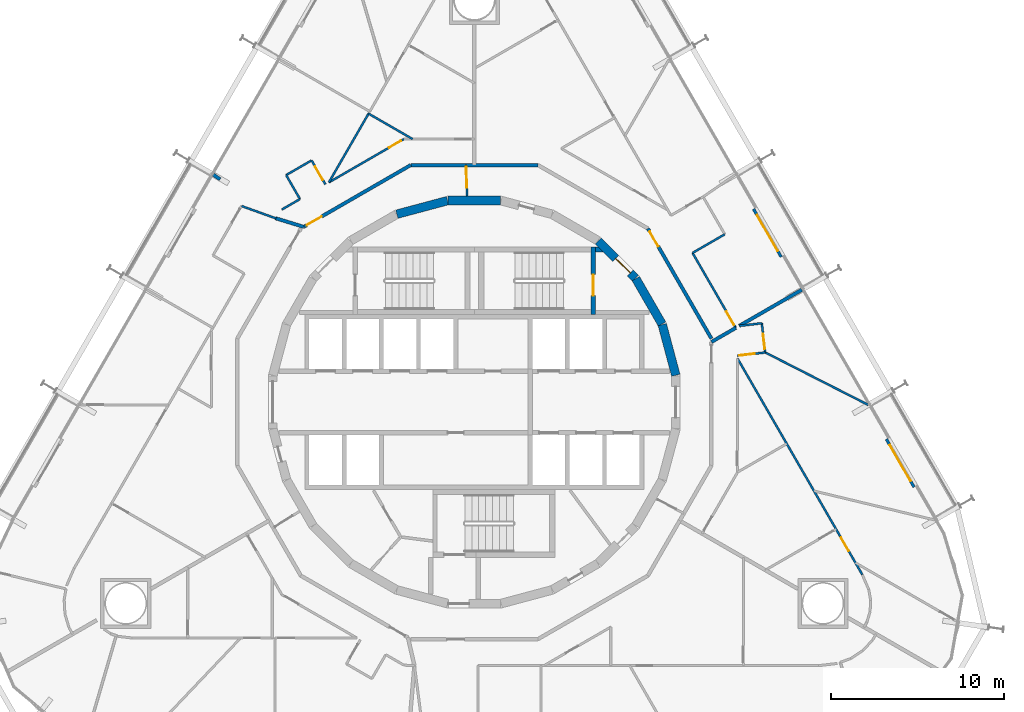
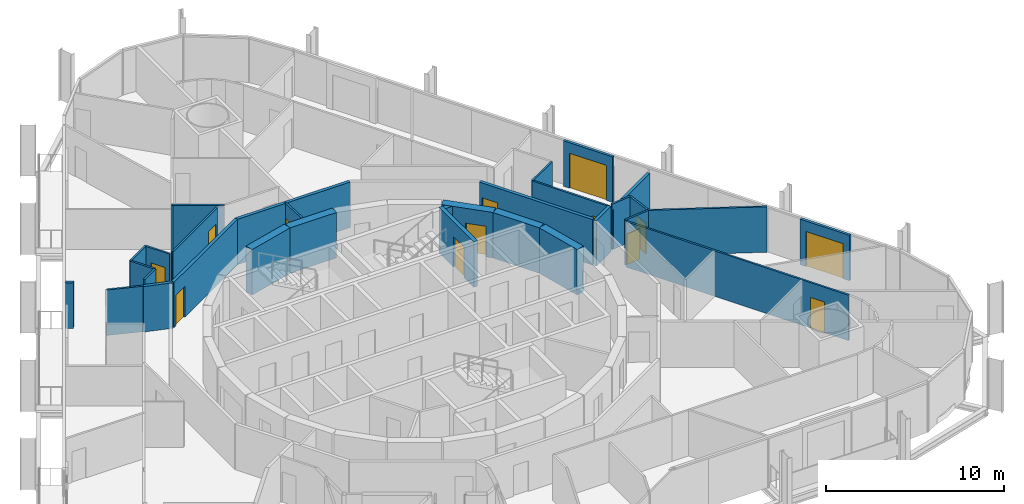
# One storey, part 17 of 21: 32 walls, 13 doors, 13 openings.
"""IFC4 building model written with IfcOpenShell, lengths in metres."""

from ifc_helpers import new_model, si_unit, direction, frame, frame_2d, origin, place, context, subcontext, project, spatial, polyline, rectangle, outline, extrude, material, layer, layer_set, type_object, element, fill, save


model = new_model("IFC4")

# Units and contexts
model_context = context("Model", 3, precision=1e-05, world=origin(), true_north=direction((0.0, 1.0)))
body_context = subcontext(model_context, "Body", "Model", "MODEL_VIEW")
ifc_project = project(units=[si_unit("LENGTHUNIT", "METRE"), si_unit("AREAUNIT", "SQUARE_METRE"), si_unit("VOLUMEUNIT", "CUBIC_METRE"), si_unit("PLANEANGLEUNIT", "RADIAN"), si_unit("MASSUNIT", "GRAM", prefix="KILO")], contexts=[model_context])

# Site, building, storey
site_placement = place(None, origin())
site = spatial("IfcSite", under=ifc_project, at=site_placement, CompositionType="ELEMENT")
building_placement = place(site_placement, origin())
building = spatial("IfcBuilding", under=site, at=building_placement, Name="Spindle Arch Residences", CompositionType="ELEMENT")
storey_placement = place(building_placement, frame((0.0, 0.0, 62.89990234375)))
storey = spatial("IfcBuildingStorey", under=building, at=storey_placement, Name="L14", CompositionType="ELEMENT", Elevation=62.89990234375)

# Walls
ifc_material_1 = material(Name="Concrete C50/60", Category="concrete")
ifc_layer_1 = layer(ifc_material_1, 0.5)
ifc_layer_set_1 = layer_set([ifc_layer_1], Name="Core outline wall 500")
wall_type_1 = type_object("IfcWallType", Name="Core outline wall 500", PredefinedType="SHEAR", material=ifc_layer_set_1)
for number, where, z_axis, x_axis, name in (
    (1, (11.642822265625, 1.5498046875, 0.0), (0.0, 0.0, 1.0), (-0.258734743916, 0.965948410781, 0.0), "Core outline wall 7"),
    (2, (10.84521484375, 4.510498046875, 0.0), (0.0, 0.0, 1.0), (-0.500087131594, 0.865975092491, 0.0), "Core outline wall 8"),
):
    element("IfcWall", number, at=place(storey_placement, frame(where, z_axis=z_axis, x_axis=x_axis)), inside=storey, type_object=wall_type_1, Name=name, PredefinedType="SHEAR", context=body_context, shape_type="SweptSolid", body=[
        extrude(rectangle(XDim=3.03271484375, YDim=0.5, at=frame_2d((1.516357421875, 0.0))), origin(), (0.0, 0.0, 1.0), 3.1201171875),
    ])

# Wall, opening, door
wall_1_placement = place(storey_placement, frame((9.30810546875, 7.163818359375, 0.0), z_axis=(0.0, 0.0, 1.0), x_axis=(-0.707106781187, 0.707106781187, 0.0)))
wall_1 = element("IfcWall", 3, at=wall_1_placement, inside=storey, type_object=wall_type_1, Name="Core outline wall 9", PredefinedType="SHEAR", context=body_context, shape_type="SweptSolid", body=[
    extrude(rectangle(XDim=3.032470703125, YDim=0.5, at=frame_2d((1.51611328125, 0.0))), origin(), (0.0, 0.0, 1.0), 3.1201171875),
])
opening_1_placement = place(wall_1_placement, frame((0.416259765625, 0.0, 0.0)))
opening_1 = element("IfcOpeningElement", 4, at=opening_1_placement, cuts=wall_1, Name="Opening R1C1-AD01", PredefinedType="OPENING", context=body_context, shape_type="SweptSolid", body=[
    extrude(rectangle(XDim=1.199951171875, YDim=2.10009765625, at=frame_2d((0.60009765625, 1.050048828125))), frame((0.0, 0.260009765625, 0.0), z_axis=(0.0, -1.0, 0.0), x_axis=(1.0, 0.0, 0.0)), (0.0, 0.0, 1.0), 0.52001953125),
])
ifc_material_2 = material(Name="Steel, fire-resisting door", Category="steel")
door_type_1 = type_object("IfcDoorType", Name="Stair airlock door 1200x2100", OperationType="SINGLE_SWING_LEFT", PredefinedType="DOOR", material=ifc_material_2)
door_1_placement = place(opening_1_placement, origin())
door_1 = element("IfcDoor", 5, at=door_1_placement, inside=storey, type_object=door_type_1, Name="Stair airlock door R1C1-AD01", OperationType="SINGLE_SWING_RIGHT", OverallHeight=2.10009765625, OverallWidth=1.199951171875, PredefinedType="DOOR", context=body_context, shape_type="SweptSolid", body=[
    extrude(rectangle(XDim=1.199951171875, YDim=2.10009765625, at=frame_2d((0.60009765625, 1.050048828125))), frame((0.0, 0.02490234375, 0.0), z_axis=(0.0, -1.0, 0.0), x_axis=(1.0, 0.0, 0.0)), (0.0, 0.0, 1.0), 0.050048828125),
])
fill(opening_1, door_1)

# Walls
for number, where, z_axis, x_axis, name in (
    (6, (1.516357421875, 11.647216796875, 0.0), (0.0, 0.0, 1.0), (-1.0, 0.0, 0.0), "Core outline wall 12"),
    (7, (-1.5498046875, 11.642822265625, 0.0), (0.0, 0.0, 1.0), (-0.965948410781, -0.258734743916, 0.0), "Core outline wall 13"),
):
    element("IfcWall", number, at=place(storey_placement, frame(where, z_axis=z_axis, x_axis=x_axis)), inside=storey, type_object=wall_type_1, Name=name, PredefinedType="SHEAR", context=body_context, shape_type="SweptSolid", body=[
        extrude(rectangle(XDim=3.03271484375, YDim=0.5, at=frame_2d((1.516357421875, 0.0))), origin(), (0.0, 0.0, 1.0), 3.1201171875),
    ])

# Wall, opening, door
ifc_material_3 = material(Name="Plasterboard on steel studs", Category="steel")
ifc_layer_2 = layer(ifc_material_3, 0.1201171875)
ifc_layer_set_2 = layer_set([ifc_layer_2], Name="Corridor division wall 120")
wall_type_2 = type_object("IfcWallType", Name="Corridor division wall 120", PredefinedType="PARTITIONING", material=ifc_layer_set_2)
wall_2_placement = place(storey_placement, frame((-0.478515625, 13.699951171875, 0.0), z_axis=(0.0, 0.0, 1.0), x_axis=(0.034919103017, -0.999390142159, 0.0)))
wall_2 = element("IfcWall", 8, at=wall_2_placement, inside=storey, type_object=wall_type_2, Name="Corridor division wall R1C1-W001", PredefinedType="PARTITIONING", context=body_context, shape_type="SweptSolid", body=[
    extrude(rectangle(XDim=1.803955078125, YDim=0.1201171875, at=frame_2d((0.90185546875, 0.0))), origin(), (0.0, 0.0, 1.0), 3.1201171875),
])
opening_2_placement = place(wall_2_placement, frame((0.110107421875, 0.0, 0.0)))
opening_2 = element("IfcOpeningElement", 9, at=opening_2_placement, cuts=wall_2, Name="Opening R1C1-CD01", PredefinedType="OPENING", context=body_context, shape_type="SweptSolid", body=[
    extrude(rectangle(XDim=1.199951171875, YDim=2.10009765625, at=frame_2d((0.60009765625, 1.050048828125))), frame((0.0, 0.070068359375, 0.0), z_axis=(0.0, -1.0, 0.0), x_axis=(1.0, 0.0, 0.0)), (0.0, 0.0, 1.0), 0.14013671875),
])
ifc_material_4 = material(Name="Steel, fire-resisting door", Category="steel")
door_type_2 = type_object("IfcDoorType", Name="Corridor division door 1200x2100", OperationType="NOTDEFINED", PredefinedType="DOOR", material=ifc_material_4)
door_2_placement = place(opening_2_placement, origin())
door_2 = element("IfcDoor", 10, at=door_2_placement, inside=storey, type_object=door_type_2, Name="Corridor division door R1C1-CD01", OperationType="DOUBLE_DOOR_SINGLE_SWING", OverallHeight=2.10009765625, OverallWidth=1.199951171875, PredefinedType="DOOR", context=body_context, shape_type="SweptSolid", body=[
    extrude(rectangle(XDim=1.199951171875, YDim=2.10009765625, at=frame_2d((0.60009765625, 1.050048828125))), frame((0.0, 0.02490234375, 0.0), z_axis=(0.0, -1.0, 0.0), x_axis=(1.0, 0.0, 0.0)), (0.0, 0.0, 1.0), 0.050048828125),
])
fill(opening_2, door_2)

ifc_material_5 = material(Name="Calcium silicate block, plastered")
ifc_layer_3 = layer(ifc_material_5, 0.199951171875)
ifc_layer_set_3 = layer_set([ifc_layer_3], Name="Corridor wall 200")
wall_type_3 = type_object("IfcWallType", Name="Corridor wall 200", PredefinedType="STANDARD", material=ifc_layer_set_3)
wall_3_placement = place(storey_placement, frame((13.699951171875, 3.6708984375, 0.0), z_axis=(0.0, 0.0, 1.0), x_axis=(-0.500001669485, 0.866024439905, 0.0)))
wall_3 = element("IfcWall", 11, at=wall_3_placement, inside=storey, type_object=wall_type_3, Name="Corridor wall R1C1-W004", PredefinedType="STANDARD", context=body_context, shape_type="SweptSolid", body=[
    extrude(rectangle(XDim=7.341796875, YDim=0.199951171875, at=frame_2d((3.6708984375, 0.0))), origin(), (0.0, 0.0, 1.0), 3.1201171875),
])
opening_3_placement = place(wall_3_placement, frame((6.141845703125, 0.0, 0.0)))
opening_3 = element("IfcOpeningElement", 12, at=opening_3_placement, cuts=wall_3, Name="Opening R1C1-FD01", PredefinedType="OPENING", context=body_context, shape_type="SweptSolid", body=[
    extrude(rectangle(XDim=1.0, YDim=2.10009765625, at=frame_2d((0.5, 1.050048828125))), frame((0.0, 0.10986328125, 0.0), z_axis=(0.0, -1.0, 0.0), x_axis=(1.0, 0.0, 0.0)), (0.0, 0.0, 1.0), 0.219970703125),
])
ifc_material_6 = material(Name="Timber, fire-resisting door set", Category="wood")
door_type_3 = type_object("IfcDoorType", Name="Flat entrance door 1000x2100", OperationType="NOTDEFINED", PredefinedType="DOOR", material=ifc_material_6)
door_3_placement = place(opening_3_placement, origin())
door_3 = element("IfcDoor", 13, at=door_3_placement, inside=storey, type_object=door_type_3, Name="Flat entrance door R1C1-FD01", OperationType="SINGLE_SWING_RIGHT", OverallHeight=2.10009765625, OverallWidth=1.0, PredefinedType="DOOR", context=body_context, shape_type="SweptSolid", body=[
    extrude(rectangle(XDim=1.0, YDim=2.10009765625, at=frame_2d((0.5, 1.050048828125))), frame((0.0, 0.02490234375, 0.0), z_axis=(0.0, -1.0, 0.0), x_axis=(1.0, 0.0, 0.0)), (0.0, 0.0, 1.0), 0.050048828125),
])
fill(opening_3, door_3)

# Wall
wall_4_placement = place(storey_placement, frame((3.6708984375, 13.699951171875, 0.0), z_axis=(0.0, 0.0, 1.0), x_axis=(-1.0, 0.0, 0.0)))
element("IfcWall", 14, at=wall_4_placement, inside=storey, type_object=wall_type_3, Name="Corridor wall R1C1-W006", PredefinedType="STANDARD", context=body_context, shape_type="SweptSolid", body=[
    extrude(rectangle(XDim=7.341796875, YDim=0.199951171875, at=frame_2d((3.6708984375, 0.0))), origin(), (0.0, 0.0, 1.0), 3.1201171875),
])

# Wall, opening, door
wall_5_placement = place(storey_placement, frame((-3.6708984375, 13.699951171875, 0.0), z_axis=(0.0, 0.0, 1.0), x_axis=(-0.866031419417, -0.499989580474, 0.0)))
wall_5 = element("IfcWall", 15, at=wall_5_placement, inside=storey, type_object=wall_type_3, Name="Corridor wall R1C1-W009", PredefinedType="STANDARD", context=body_context, shape_type="SweptSolid", body=[
    extrude(rectangle(XDim=7.146728515625, YDim=0.199951171875, at=frame_2d((3.5732421875, 0.0))), origin(), (0.0, 0.0, 1.0), 3.1201171875),
])
opening_4_placement = place(wall_5_placement, frame((5.946533203125, 0.0, 0.0)))
opening_4 = element("IfcOpeningElement", 16, at=opening_4_placement, cuts=wall_5, Name="Opening R1C1-FD02", PredefinedType="OPENING", context=body_context, shape_type="SweptSolid", body=[
    extrude(rectangle(XDim=1.0, YDim=2.10009765625, at=frame_2d((0.5, 1.050048828125))), frame((0.0, 0.10986328125, 0.0), z_axis=(0.0, -1.0, 0.0), x_axis=(1.0, 0.0, 0.0)), (0.0, 0.0, 1.0), 0.219970703125),
])
door_4_placement = place(opening_4_placement, origin())
door_4 = element("IfcDoor", 17, at=door_4_placement, inside=storey, type_object=door_type_3, Name="Flat entrance door R1C1-FD02", OperationType="SINGLE_SWING_LEFT", OverallHeight=2.10009765625, OverallWidth=1.0, PredefinedType="DOOR", context=body_context, shape_type="SweptSolid", body=[
    extrude(rectangle(XDim=1.0, YDim=2.10009765625, at=frame_2d((0.5, 1.050048828125))), frame((0.0, 0.02490234375, 0.0), z_axis=(0.0, -1.0, 0.0), x_axis=(1.0, 0.0, 0.0)), (0.0, 0.0, 1.0), 0.050048828125),
])
fill(opening_4, door_4)

ifc_material_7 = material(Name="Plasterboard on steel studs", Category="steel")
ifc_layer_4 = layer(ifc_material_7, 0.1201171875)
ifc_layer_set_4 = layer_set([ifc_layer_4], Name="Flat partition 120")
wall_type_4 = type_object("IfcWallType", Name="Flat partition 120", PredefinedType="PARTITIONING", material=ifc_layer_set_4)
wall_6_placement = place(storey_placement, frame((15.109619140625, 4.289306640625, 0.0), z_axis=(0.0, 0.0, 1.0), x_axis=(-0.500033654285, 0.866005972602, 0.0)))
wall_6 = element("IfcWall", 18, at=wall_6_placement, inside=storey, type_object=wall_type_4, Name="Flat partition R1C1-W032", PredefinedType="PARTITIONING", context=body_context, shape_type="SweptSolid", body=[
    extrude(rectangle(XDim=5.002685546875, YDim=0.1201171875, at=frame_2d((2.50146484375, 0.0))), origin(), (0.0, 0.0, 1.0), 3.1201171875),
])
opening_5_placement = place(wall_6_placement, frame((0.199951171875, 0.0, 0.0)))
opening_5 = element("IfcOpeningElement", 19, at=opening_5_placement, cuts=wall_6, Name="Opening R1C1-ID01", PredefinedType="OPENING", context=body_context, shape_type="SweptSolid", body=[
    extrude(rectangle(XDim=0.89990234375, YDim=2.10009765625, at=frame_2d((0.449951171875, 1.050048828125))), frame((0.0, 0.070068359375, 0.0), z_axis=(0.0, -1.0, 0.0), x_axis=(1.0, 0.0, 0.0)), (0.0, 0.0, 1.0), 0.14013671875),
])
ifc_material_8 = material(Name="Timber door set", Category="wood")
door_type_4 = type_object("IfcDoorType", Name="Room door 900x2100", OperationType="NOTDEFINED", PredefinedType="DOOR", material=ifc_material_8)
door_5_placement = place(opening_5_placement, origin())
door_5 = element("IfcDoor", 20, at=door_5_placement, inside=storey, type_object=door_type_4, Name="Room door R1C1-ID01", OperationType="SINGLE_SWING_LEFT", OverallHeight=2.10009765625, OverallWidth=0.89990234375, PredefinedType="DOOR", context=body_context, shape_type="SweptSolid", body=[
    extrude(rectangle(XDim=0.89990234375, YDim=2.10009765625, at=frame_2d((0.449951171875, 1.050048828125))), frame((0.0, 0.02490234375, 0.0), z_axis=(0.0, -1.0, 0.0), x_axis=(1.0, 0.0, 0.0)), (0.0, 0.0, 1.0), 0.050048828125),
])
fill(opening_5, door_5)

# Wall
wall_7_placement = place(storey_placement, frame((12.608154296875, 8.62158203125, 0.0), z_axis=(0.0, 0.0, 1.0), x_axis=(0.866005997533, 0.500033611107, 0.0)))
element("IfcWall", 21, at=wall_7_placement, inside=storey, type_object=wall_type_4, Name="Flat partition R1C1-W033", PredefinedType="PARTITIONING", context=body_context, shape_type="SweptSolid", body=[
    extrude(rectangle(XDim=2.150634765625, YDim=0.1201171875, at=frame_2d((1.0751953125, 0.0))), origin(), (0.0, 0.0, 1.0), 3.1201171875),
])

# Wall, opening, door
wall_8_placement = place(storey_placement, frame((-4.07275390625, 15.199951171875, 0.0), z_axis=(0.0, 0.0, 1.0), x_axis=(-0.866034514313, -0.499984219769, 0.0)))
wall_8 = element("IfcWall", 22, at=wall_8_placement, inside=storey, type_object=wall_type_4, Name="Flat partition R1C1-W050", PredefinedType="PARTITIONING", context=body_context, shape_type="SweptSolid", body=[
    extrude(rectangle(XDim=5.005615234375, YDim=0.1201171875, at=frame_2d((2.5029296875, 0.0))), origin(), (0.0, 0.0, 1.0), 3.1201171875),
])
opening_6_placement = place(wall_8_placement, frame((0.199951171875, 0.0, 0.0)))
opening_6 = element("IfcOpeningElement", 23, at=opening_6_placement, cuts=wall_8, Name="Opening R1C1-BD02", PredefinedType="OPENING", context=body_context, shape_type="SweptSolid", body=[
    extrude(rectangle(XDim=0.800048828125, YDim=2.10009765625, at=frame_2d((0.39990234375, 1.050048828125))), frame((0.0, 0.070068359375, 0.0), z_axis=(0.0, -1.0, 0.0), x_axis=(1.0, 0.0, 0.0)), (0.0, 0.0, 1.0), 0.14013671875),
])
ifc_material_9 = material(Name="Timber door set", Category="wood")
door_type_5 = type_object("IfcDoorType", Name="Bathroom door 800x2100", OperationType="NOTDEFINED", PredefinedType="DOOR", material=ifc_material_9)
door_6_placement = place(opening_6_placement, origin())
door_6 = element("IfcDoor", 24, at=door_6_placement, inside=storey, type_object=door_type_5, Name="Bathroom door R1C1-BD02", OperationType="SINGLE_SWING_LEFT", OverallHeight=2.10009765625, OverallWidth=0.800048828125, PredefinedType="DOOR", context=body_context, shape_type="SweptSolid", body=[
    extrude(rectangle(XDim=0.800048828125, YDim=2.10009765625, at=frame_2d((0.39990234375, 1.050048828125))), frame((0.0, 0.02490234375, 0.0), z_axis=(0.0, -1.0, 0.0), x_axis=(1.0, 0.0, 0.0)), (0.0, 0.0, 1.0), 0.050048828125),
])
fill(opening_6, door_6)

wall_9_placement = place(storey_placement, frame((-8.60595703125, 12.582763671875, 0.0), z_axis=(0.0, 0.0, 1.0), x_axis=(-0.499995408039, 0.866028054938, 0.0)))
wall_9 = element("IfcWall", 25, at=wall_9_placement, inside=storey, type_object=wall_type_4, Name="Flat partition R1C1-W051", PredefinedType="PARTITIONING", context=body_context, shape_type="SweptSolid", body=[
    extrude(rectangle(XDim=1.60009765625, YDim=0.1201171875, at=frame_2d((0.800048828125, 0.0))), origin(), (0.0, 0.0, 1.0), 3.1201171875),
])
opening_7_placement = place(wall_9_placement, frame((0.300048828125, 0.0, 0.0)))
opening_7 = element("IfcOpeningElement", 26, at=opening_7_placement, cuts=wall_9, Name="Opening R1C1-ID08", PredefinedType="OPENING", context=body_context, shape_type="SweptSolid", body=[
    extrude(rectangle(XDim=0.89990234375, YDim=2.10009765625, at=frame_2d((0.449951171875, 1.050048828125))), frame((0.0, 0.070068359375, 0.0), z_axis=(0.0, -1.0, 0.0), x_axis=(1.0, 0.0, 0.0)), (0.0, 0.0, 1.0), 0.14013671875),
])
door_7_placement = place(opening_7_placement, origin())
door_7 = element("IfcDoor", 27, at=door_7_placement, inside=storey, type_object=door_type_4, Name="Room door R1C1-ID08", OperationType="SINGLE_SWING_RIGHT", OverallHeight=2.10009765625, OverallWidth=0.89990234375, PredefinedType="DOOR", context=body_context, shape_type="SweptSolid", body=[
    extrude(rectangle(XDim=0.89990234375, YDim=2.10009765625, at=frame_2d((0.449951171875, 1.050048828125))), frame((0.0, 0.02490234375, 0.0), z_axis=(0.0, -1.0, 0.0), x_axis=(1.0, 0.0, 0.0)), (0.0, 0.0, 1.0), 0.050048828125),
])
fill(opening_7, door_7)

# Walls
wall_10_placement = place(storey_placement, frame((-9.406005859375, 13.968505859375, 0.0), z_axis=(0.0, 0.0, 1.0), x_axis=(-0.865989465428, -0.500062241894, 0.0)))
element("IfcWall", 28, at=wall_10_placement, inside=storey, type_object=wall_type_4, Name="Flat partition R1C1-W052", PredefinedType="PARTITIONING", context=body_context, shape_type="SweptSolid", body=[
    extrude(rectangle(XDim=1.699951171875, YDim=0.1201171875, at=frame_2d((0.85009765625, 0.0))), origin(), (0.0, 0.0, 1.0), 3.1201171875),
])
wall_11_placement = place(storey_placement, frame((-10.878173828125, 13.118408203125, 0.0), z_axis=(0.0, 0.0, 1.0), x_axis=(0.500061482766, -0.865989903783, 0.0)))
element("IfcWall", 29, at=wall_11_placement, inside=storey, type_object=wall_type_4, Name="Flat partition R1C1-W053", PredefinedType="PARTITIONING", context=body_context, shape_type="SweptSolid", body=[
    extrude(rectangle(XDim=1.599853515625, YDim=0.1201171875, at=frame_2d((0.7998046875, 0.0))), origin(), (0.0, 0.0, 1.0), 3.1201171875),
])
wall_12_placement = place(storey_placement, frame((-10.078125, 11.73291015625, 0.0), z_axis=(0.0, 0.0, 1.0), x_axis=(-0.866014416983, -0.500019029215, 0.0)))
element("IfcWall", 30, at=wall_12_placement, inside=storey, type_object=wall_type_4, Name="Flat partition R1C1-W054", PredefinedType="PARTITIONING", context=body_context, shape_type="SweptSolid", body=[
    extrude(rectangle(XDim=1.21142578125, YDim=0.1201171875, at=frame_2d((0.605712890625, 0.0))), origin(), (0.0, 0.0, 1.0), 3.1201171875),
])
wall_13_placement = place(storey_placement, frame((-6.114013671875, 16.669921875, 0.0), z_axis=(0.0, 0.0, 1.0), x_axis=(0.866011328839, -0.500024377727, 0.0)))
element("IfcWall", 31, at=wall_13_placement, inside=storey, type_object=wall_type_4, Name="Flat partition R1C1-W059", PredefinedType="PARTITIONING", context=body_context, shape_type="SweptSolid", body=[
    extrude(rectangle(XDim=2.939697265625, YDim=0.1201171875, at=frame_2d((1.4697265625, 0.0))), origin(), (0.0, 0.0, 1.0), 3.1201171875),
])
wall_14_placement = place(storey_placement, frame((-6.093994140625, 16.70458984375, 0.0), z_axis=(0.0, 0.0, 1.0), x_axis=(-0.500014747178, -0.86601688933, 0.0)))
element("IfcWall", 32, at=wall_14_placement, inside=storey, type_object=wall_type_4, Name="Flat partition R1C1-W062", PredefinedType="PARTITIONING", context=body_context, shape_type="SweptSolid", body=[
    extrude(rectangle(XDim=4.627197265625, YDim=0.1201171875, at=frame_2d((2.3134765625, 0.0))), origin(), (0.0, 0.0, 1.0), 3.1201171875),
])
wall_15_placement = place(storey_placement, frame((-11.458251953125, 10.613525390625, 0.0), z_axis=(0.0, 0.0, 1.0), x_axis=(-0.941092440198, 0.338149403375, 0.0)))
element("IfcWall", 33, at=wall_15_placement, inside=storey, type_object=wall_type_4, Name="Flat partition R1C1-W063", PredefinedType="PARTITIONING", context=body_context, shape_type="SweptSolid", body=[
    extrude(rectangle(XDim=2.123291015625, YDim=0.1201171875, at=frame_2d((1.0615234375, 0.0))), origin(), (0.0, 0.0, 1.0), 3.1201171875),
])

# Wall, opening, door
wall_16_placement = place(storey_placement, frame((16.810302734375, 2.8681640625, 0.0), z_axis=(0.0, 0.0, 1.0), x_axis=(-0.117049566217, 0.993126074096, 0.0)))
wall_16 = element("IfcWall", 34, at=wall_16_placement, inside=storey, type_object=wall_type_4, Name="Flat partition R1C1-W112", PredefinedType="PARTITIONING", context=body_context, shape_type="SweptSolid", body=[
    extrude(rectangle(XDim=1.699951171875, YDim=0.1201171875, at=frame_2d((0.85009765625, 0.0))), origin(), (0.0, 0.0, 1.0), 3.1201171875),
])
opening_8_placement = place(wall_16_placement, frame((0.199951171875, 0.0, 0.0)))
opening_8 = element("IfcOpeningElement", 35, at=opening_8_placement, cuts=wall_16, Name="Opening R1C1-ID29", PredefinedType="OPENING", context=body_context, shape_type="SweptSolid", body=[
    extrude(rectangle(XDim=0.89990234375, YDim=2.10009765625, at=frame_2d((0.449951171875, 1.050048828125))), frame((0.0, 0.070068359375, 0.0), z_axis=(0.0, -1.0, 0.0), x_axis=(1.0, 0.0, 0.0)), (0.0, 0.0, 1.0), 0.14013671875),
])
door_8_placement = place(opening_8_placement, origin())
door_8 = element("IfcDoor", 36, at=door_8_placement, inside=storey, type_object=door_type_4, Name="Room door R1C1-ID29", OperationType="SINGLE_SWING_LEFT", OverallHeight=2.10009765625, OverallWidth=0.89990234375, PredefinedType="DOOR", context=body_context, shape_type="SweptSolid", body=[
    extrude(rectangle(XDim=0.89990234375, YDim=2.10009765625, at=frame_2d((0.449951171875, 1.050048828125))), frame((0.0, 0.02490234375, 0.0), z_axis=(0.0, -1.0, 0.0), x_axis=(1.0, 0.0, 0.0)), (0.0, 0.0, 1.0), 0.050048828125),
])
fill(opening_8, door_8)

# Wall
wall_17_placement = place(storey_placement, frame((16.611328125, 4.556396484375, 0.0), z_axis=(0.0, 0.0, 1.0), x_axis=(-0.993151872114, -0.116830470836, 0.0)))
element("IfcWall", 37, at=wall_17_placement, inside=storey, type_object=wall_type_4, Name="Flat partition R1C1-W113", PredefinedType="PARTITIONING", context=body_context, shape_type="SweptSolid", body=[
    extrude(rectangle(XDim=1.314453125, YDim=0.1201171875, at=frame_2d((0.6572265625, 0.0))), origin(), (0.0, 0.0, 1.0), 3.1201171875),
])

# Wall, opening, door
wall_18_placement = place(storey_placement, frame((15.199951171875, 2.6787109375, 0.0), z_axis=(0.0, 0.0, 1.0), x_axis=(0.993150604323, 0.116841247567, 0.0)))
wall_18 = element("IfcWall", 38, at=wall_18_placement, inside=storey, type_object=wall_type_4, Name="Flat partition R1C1-W115", PredefinedType="PARTITIONING", context=body_context, shape_type="SweptSolid", body=[
    extrude(rectangle(XDim=1.621337890625, YDim=0.1201171875, at=frame_2d((0.810546875, 0.0))), origin(), (0.0, 0.0, 1.0), 3.1201171875),
])
opening_9_placement = place(wall_18_placement, frame((0.1201171875, 0.0, 0.0)))
opening_9 = element("IfcOpeningElement", 39, at=opening_9_placement, cuts=wall_18, Name="Opening R1C1-ID31", PredefinedType="OPENING", context=body_context, shape_type="SweptSolid", body=[
    extrude(rectangle(XDim=0.89990234375, YDim=2.10009765625, at=frame_2d((0.449951171875, 1.050048828125))), frame((0.0, 0.070068359375, 0.0), z_axis=(0.0, -1.0, 0.0), x_axis=(1.0, 0.0, 0.0)), (0.0, 0.0, 1.0), 0.14013671875),
])
door_9_placement = place(opening_9_placement, origin())
door_9 = element("IfcDoor", 40, at=door_9_placement, inside=storey, type_object=door_type_4, Name="Room door R1C1-ID31", OperationType="SINGLE_SWING_RIGHT", OverallHeight=2.10009765625, OverallWidth=0.89990234375, PredefinedType="DOOR", context=body_context, shape_type="SweptSolid", body=[
    extrude(rectangle(XDim=0.89990234375, YDim=2.10009765625, at=frame_2d((0.449951171875, 1.050048828125))), frame((0.0, 0.02490234375, 0.0), z_axis=(0.0, -1.0, 0.0), x_axis=(1.0, 0.0, 0.0)), (0.0, 0.0, 1.0), 0.050048828125),
])
fill(opening_9, door_9)

# Wall
wall_19_placement = place(storey_placement, frame((16.810302734375, 2.8681640625, 0.0), z_axis=(0.0, 0.0, 1.0), x_axis=(0.891097252128, -0.453812392128, 0.0)))
element("IfcWall", 41, at=wall_19_placement, inside=storey, type_object=wall_type_4, Name="Flat partition R1C1-W117", PredefinedType="PARTITIONING", context=body_context, shape_type="SweptSolid", body=[
    extrude(rectangle(XDim=6.6767578125, YDim=0.1201171875, at=frame_2d((3.33837890625, 0.0))), origin(), (0.0, 0.0, 1.0), 3.1201171875),
])

# Wall, opening, door
wall_20_placement = place(storey_placement, frame((15.199951171875, 2.53271484375, 0.0), z_axis=(0.0, 0.0, 1.0), x_axis=(0.500001127339, -0.866024752914, 0.0)))
wall_20 = element("IfcWall", 42, at=wall_20_placement, inside=storey, type_object=wall_type_4, Name="Flat partition R1C1-W118", PredefinedType="PARTITIONING", context=body_context, shape_type="SweptSolid", body=[
    extrude(rectangle(XDim=14.43408203125, YDim=0.1201171875, at=frame_2d((7.217041015625, 0.0))), origin(), (0.0, 0.0, 1.0), 3.1201171875),
])
opening_10_placement = place(wall_20_placement, frame((11.969970703125, 0.0, 0.0)))
opening_10 = element("IfcOpeningElement", 43, at=opening_10_placement, cuts=wall_20, Name="Opening R1C1-ID33", PredefinedType="OPENING", context=body_context, shape_type="SweptSolid", body=[
    extrude(rectangle(XDim=0.89990234375, YDim=2.10009765625, at=frame_2d((0.449951171875, 1.050048828125))), frame((0.0, 0.070068359375, 0.0), z_axis=(0.0, -1.0, 0.0), x_axis=(1.0, 0.0, 0.0)), (0.0, 0.0, 1.0), 0.14013671875),
])
door_10_placement = place(opening_10_placement, origin())
door_10 = element("IfcDoor", 44, at=door_10_placement, inside=storey, type_object=door_type_4, Name="Room door R1C1-ID33", OperationType="SINGLE_SWING_LEFT", OverallHeight=2.10009765625, OverallWidth=0.89990234375, PredefinedType="DOOR", context=body_context, shape_type="SweptSolid", body=[
    extrude(rectangle(XDim=0.89990234375, YDim=2.10009765625, at=frame_2d((0.449951171875, 1.050048828125))), frame((0.0, 0.02490234375, 0.0), z_axis=(0.0, -1.0, 0.0), x_axis=(1.0, 0.0, 0.0)), (0.0, 0.0, 1.0), 0.050048828125),
])
fill(opening_10, door_10)

# Walls
ifc_material_10 = material(Name="Calcium silicate block, plastered")
ifc_layer_5 = layer(ifc_material_10, 0.199951171875)
ifc_layer_set_5 = layer_set([ifc_layer_5], Name="Flat party wall 200")
wall_type_5 = type_object("IfcWallType", Name="Flat party wall 200", PredefinedType="STANDARD", material=ifc_layer_set_5)
wall_21_placement = place(storey_placement, frame((13.699951171875, 3.4755859375, 0.0), z_axis=(0.0, 0.0, 1.0), x_axis=(0.866014281772, 0.500019263395, 0.0)))
element("IfcWall", 45, at=wall_21_placement, inside=storey, type_object=wall_type_5, Name="Flat party wall R1C1-W019", PredefinedType="STANDARD", context=body_context, shape_type="SweptSolid", body=[
    extrude(rectangle(XDim=1.6376953125, YDim=0.199951171875, at=frame_2d((0.81884765625, 0.0))), origin(), (0.0, 0.0, 1.0), 3.1201171875),
])
wall_22_placement = place(storey_placement, frame((-11.495849609375, 10.627197265625, 0.0), z_axis=(0.0, 0.0, 1.0), x_axis=(0.956240708563, -0.292581112321, 0.0)))
element("IfcWall", 46, at=wall_22_placement, inside=storey, type_object=wall_type_5, Name="Flat party wall R1C1-W022", PredefinedType="STANDARD", context=body_context, shape_type="SweptSolid", body=[
    extrude(rectangle(XDim=1.710693359375, YDim=0.199951171875, at=frame_2d((0.85546875, 0.0))), origin(), (0.0, 0.0, 1.0), 3.1201171875),
])
wall_23_placement = place(storey_placement, frame((-15.080078125, 13.140380859375, 0.0), z_axis=(0.0, 0.0, 1.0), x_axis=(0.820309143391, -0.571920369692, 0.0)))
element("IfcWall", 47, at=wall_23_placement, inside=storey, type_object=wall_type_5, Name="Flat party wall R1C1-W023", PredefinedType="STANDARD", context=body_context, shape_type="SweptSolid", body=[
    extrude(rectangle(XDim=0.4677734375, YDim=0.199951171875, at=frame_2d((0.23388671875, 0.0))), origin(), (0.0, 0.0, 1.0), 3.1201171875),
])
ifc_material_11 = material(Name="Calcium silicate block, plastered")
ifc_layer_6 = layer(ifc_material_11, 0.199951171875)
ifc_layer_set_6 = layer_set([ifc_layer_6], Name="Flat party wall 200 under beam 2730")
wall_type_6 = type_object("IfcWallType", Name="Flat party wall 200 under beam 2730", PredefinedType="STANDARD", material=ifc_layer_set_6)
wall_24_placement = place(storey_placement, frame((15.305908203125, 4.40283203125, 0.0), z_axis=(0.0, 0.0, 1.0), x_axis=(0.866013143551, 0.500021234745, 0.0)))
element("IfcWall", 48, at=wall_24_placement, inside=storey, type_object=wall_type_6, Name="Flat party wall R1C1-W020", PredefinedType="STANDARD", context=body_context, shape_type="SweptSolid", body=[
    extrude(rectangle(XDim=4.173095703125, YDim=0.199951171875, at=frame_2d((2.08642578125, 0.0))), origin(), (0.0, 0.0, 1.0), 2.72998046875),
])

# Wall, opening, door
ifc_material_12 = material(Name="Non-combustible mineral wool insulated aluminium faced external wall (K0)", Category="aluminium")
ifc_layer_7 = layer(ifc_material_12, 0.159912109375)
ifc_layer_set_7 = layer_set([ifc_layer_7], Name="Insulated external wall panel 160")
wall_type_7 = type_object("IfcWallType", Name="Insulated external wall panel 160", PredefinedType="STANDARD", material=ifc_layer_set_7)
wall_25_placement = place(storey_placement, frame((25.410888671875, -4.912841796875, 0.0), z_axis=(0.0, 0.0, 1.0), x_axis=(-0.500028443584, 0.866008981251, 0.0)))
wall_25 = element("IfcWall", 49, at=wall_25_placement, inside=storey, type_object=wall_type_7, Name="External wall L14 bay 6", PredefinedType="STANDARD", context=body_context, shape_type="SweptSolid", body=[
    extrude(rectangle(XDim=3.199951171875, YDim=0.159912109375, at=frame_2d((1.60009765625, 0.0))), origin(), (0.0, 0.0, 1.0), 3.1201171875),
])
opening_11_placement = place(wall_25_placement, frame((0.39990234375, 0.0, 0.0)))
opening_11 = element("IfcOpeningElement", 50, at=opening_11_placement, cuts=wall_25, Name="Opening BD06", PredefinedType="OPENING", context=body_context, shape_type="SweptSolid", body=[
    extrude(rectangle(XDim=2.39990234375, YDim=2.39990234375, at=frame_2d((1.199951171875, 1.199951171875))), frame((0.0, 0.08984375, 0.0), z_axis=(0.0, -1.0, 0.0), x_axis=(1.0, 0.0, 0.0)), (0.0, 0.0, 1.0), 0.179931640625),
])
ifc_material_13 = material(Name="Bronze aluminium frame, tinted double glazing", Category="aluminium")
door_type_6 = type_object("IfcDoorType", Name="Sliding glazed balcony door 2400x2400", OperationType="DOUBLE_DOOR_SLIDING", PredefinedType="DOOR", material=ifc_material_13)
door_11_placement = place(opening_11_placement, origin())
door_11 = element("IfcDoor", 51, at=door_11_placement, inside=storey, type_object=door_type_6, Name="Balcony door BD06", OperationType="DOUBLE_DOOR_SLIDING", OverallHeight=2.39990234375, OverallWidth=2.39990234375, PredefinedType="DOOR", context=body_context, shape_type="SweptSolid", body=[
    extrude(rectangle(XDim=2.39990234375, YDim=2.39990234375, at=frame_2d((1.199951171875, 1.199951171875))), frame((0.0, 0.02490234375, 0.0), z_axis=(0.0, -1.0, 0.0), x_axis=(1.0, 0.0, 0.0)), (0.0, 0.0, 1.0), 0.050048828125),
])
fill(opening_11, door_11)

wall_26_placement = place(storey_placement, frame((17.730712890625, 8.389404296875, 0.0), z_axis=(0.0, 0.0, 1.0), x_axis=(-0.500028443584, 0.866008981251, 0.0)))
wall_26 = element("IfcWall", 52, at=wall_26_placement, inside=storey, type_object=wall_type_7, Name="External wall L14 bay 8", PredefinedType="STANDARD", context=body_context, shape_type="SweptSolid", body=[
    extrude(rectangle(XDim=3.199951171875, YDim=0.159912109375, at=frame_2d((1.60009765625, 0.0))), origin(), (0.0, 0.0, 1.0), 3.1201171875),
])
opening_12_placement = place(wall_26_placement, frame((0.39990234375, 0.0, 0.0)))
opening_12 = element("IfcOpeningElement", 53, at=opening_12_placement, cuts=wall_26, Name="Opening BD08", PredefinedType="OPENING", context=body_context, shape_type="SweptSolid", body=[
    extrude(rectangle(XDim=2.39990234375, YDim=2.39990234375, at=frame_2d((1.199951171875, 1.199951171875))), frame((0.0, 0.08984375, 0.0), z_axis=(0.0, -1.0, 0.0), x_axis=(1.0, 0.0, 0.0)), (0.0, 0.0, 1.0), 0.179931640625),
])
door_12_placement = place(opening_12_placement, origin())
door_12 = element("IfcDoor", 54, at=door_12_placement, inside=storey, type_object=door_type_6, Name="Balcony door BD08", OperationType="DOUBLE_DOOR_SLIDING", OverallHeight=2.39990234375, OverallWidth=2.39990234375, PredefinedType="DOOR", context=body_context, shape_type="SweptSolid", body=[
    extrude(rectangle(XDim=2.39990234375, YDim=2.39990234375, at=frame_2d((1.199951171875, 1.199951171875))), frame((0.0, 0.02490234375, 0.0), z_axis=(0.0, -1.0, 0.0), x_axis=(1.0, 0.0, 0.0)), (0.0, 0.0, 1.0), 0.050048828125),
])
fill(opening_12, door_12)

# Wall
ifc_material_14 = material(Name="Concrete C40/50", Category="concrete")
wall_type_8 = type_object("IfcWallType", Name="Stair airlock wall profile", PredefinedType="SHEAR", material=ifc_material_14)
wall_27_placement = place(storey_placement, origin())
element("IfcWall", 55, at=wall_27_placement, inside=storey, type_object=wall_type_8, Name="Stair ST-1 airlock wall N", PredefinedType="SHEAR", context=body_context, shape_type="SweptSolid", body=[
    extrude(outline(polyline([(7.4482421875, 8.669921875), (7.0, 8.669921875), (7.0, 8.969970703125), (7.148193359375, 8.969970703125), (7.4482421875, 8.669921875)])), origin(), (0.0, 0.0, 1.0), 3.1201171875),
])

# Wall, opening, door
ifc_material_15 = material(Name="Concrete C50/60", Category="concrete")
ifc_layer_8 = layer(ifc_material_15, 0.25)
ifc_layer_set_8 = layer_set([ifc_layer_8], Name="Stair enclosure wall 250")
wall_type_9 = type_object("IfcWallType", Name="Stair enclosure wall 250", PredefinedType="SHEAR", material=ifc_layer_set_8)
wall_28_placement = place(storey_placement, frame((6.875, 5.050048828125, 0.0), z_axis=(0.0, 0.0, 1.0), x_axis=(0.0, 1.0, 0.0)))
wall_28 = element("IfcWall", 56, at=wall_28_placement, inside=storey, type_object=wall_type_9, Name="Stair ST-1 door wall", PredefinedType="SHEAR", context=body_context, shape_type="SweptSolid", body=[
    extrude(rectangle(XDim=3.919921875, YDim=0.25, at=frame_2d((1.9599609375, 0.0))), origin(), (0.0, 0.0, 1.0), 3.1201171875),
])
opening_13_placement = place(wall_28_placement, frame((1.110107421875, 0.0, 0.0)))
opening_13 = element("IfcOpeningElement", 57, at=opening_13_placement, cuts=wall_28, Name="Opening R1C1-SD01", PredefinedType="OPENING", context=body_context, shape_type="SweptSolid", body=[
    extrude(rectangle(XDim=1.199951171875, YDim=2.10009765625, at=frame_2d((0.60009765625, 1.050048828125))), frame((0.0, 0.135009765625, 0.0), z_axis=(0.0, -1.0, 0.0), x_axis=(1.0, 0.0, 0.0)), (0.0, 0.0, 1.0), 0.27001953125),
])
ifc_material_16 = material(Name="Steel, fire-resisting door", Category="steel")
door_type_7 = type_object("IfcDoorType", Name="Stair door 1200x2100", OperationType="SINGLE_SWING_RIGHT", PredefinedType="DOOR", material=ifc_material_16)
door_13_placement = place(opening_13_placement, origin())
door_13 = element("IfcDoor", 58, at=door_13_placement, inside=storey, type_object=door_type_7, Name="Stair door R1C1-SD01", OperationType="SINGLE_SWING_LEFT", OverallHeight=2.10009765625, OverallWidth=1.199951171875, PredefinedType="DOOR", context=body_context, shape_type="SweptSolid", body=[
    extrude(rectangle(XDim=1.199951171875, YDim=2.10009765625, at=frame_2d((0.60009765625, 1.050048828125))), frame((0.0, 0.02490234375, 0.0), z_axis=(0.0, -1.0, 0.0), x_axis=(1.0, 0.0, 0.0)), (0.0, 0.0, 1.0), 0.050048828125),
])
fill(opening_13, door_13)

save(model, "model.ifc")
